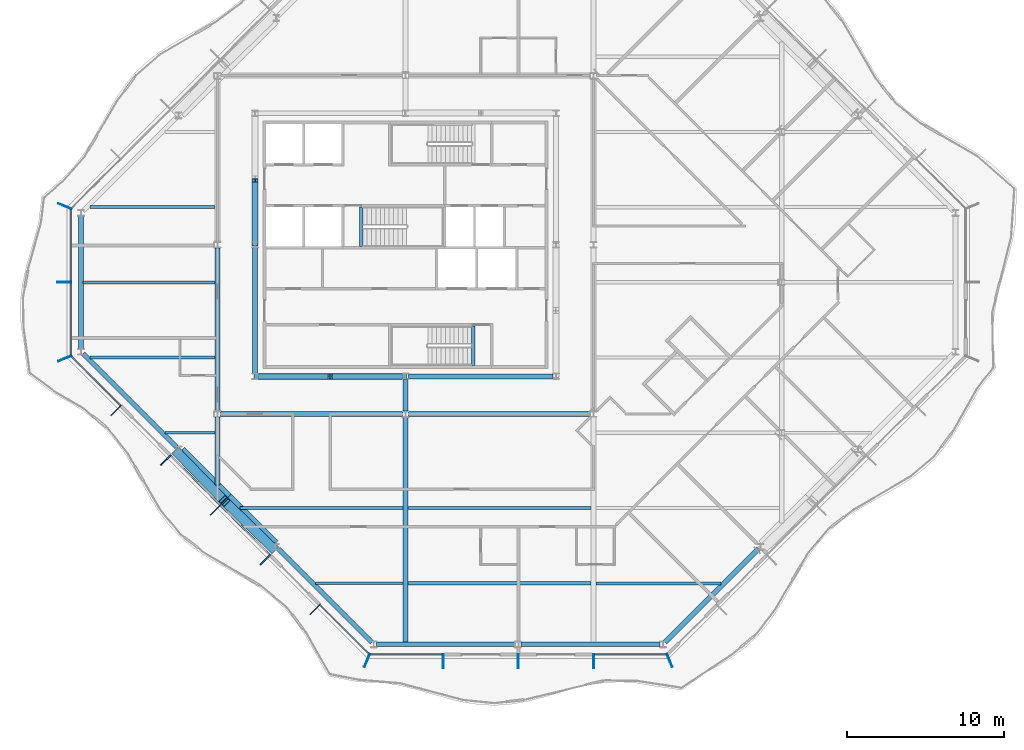
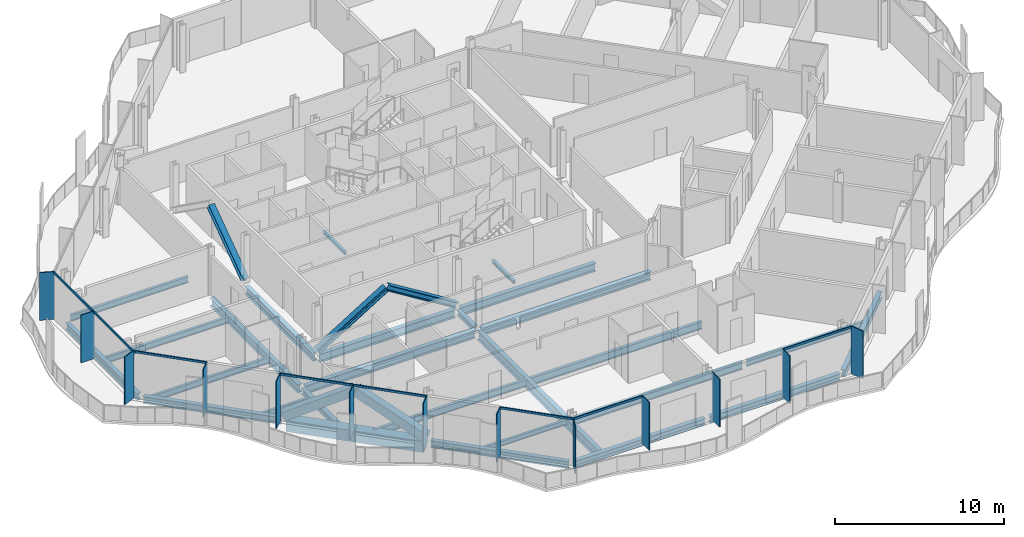
# One storey, part 3 of 17: 28 beams, 26 members, 4 elements without a shape of their own.
"""IFC4 building model written with IfcOpenShell, lengths in metres."""

from ifc_helpers import new_model, si_unit, direction, frame, origin, origin_2d, place, context, subcontext, project, spatial, rectangle, hollow_rectangle, i_section, extrude, material, material_profile, profile_set, type_object, element, aggregate, save


model = new_model("IFC4")

# Units and contexts
model_context = context("Model", 3, precision=1e-05, world=origin(), true_north=direction((0.0, 1.0)))
body_context = subcontext(model_context, "Body", "Model", "MODEL_VIEW")
ifc_project = project(units=[si_unit("LENGTHUNIT", "METRE"), si_unit("AREAUNIT", "SQUARE_METRE"), si_unit("VOLUMEUNIT", "CUBIC_METRE"), si_unit("PLANEANGLEUNIT", "RADIAN"), si_unit("MASSUNIT", "GRAM", prefix="KILO")], contexts=[model_context])

# Site, building, storey
site_placement = place(None, origin())
site = spatial("IfcSite", under=ifc_project, at=site_placement, CompositionType="ELEMENT")
building_placement = place(site_placement, origin())
building = spatial("IfcBuilding", under=site, at=building_placement, Name="Cairn Pilgrim Tower", CompositionType="ELEMENT")
storey_placement = place(building_placement, frame((0.0, 0.0, 243.0)))
storey = spatial("IfcBuildingStorey", under=building, at=storey_placement, Name="L62", CompositionType="ELEMENT", Elevation=243.0)

# Members
ifc_material_1 = material(Name="Structural steel S460M", Category="steel")
ifc_material_profile_1 = material_profile(ifc_material_1, hollow_rectangle(XDim=0.60009765625, YDim=0.60009765625, WallThickness=0.034912109375, at=origin_2d()), Name="BOX 600x600x35")
ifc_profile_set_1 = profile_set([ifc_material_profile_1], Name="Structural steel S460M")
member_type_1 = type_object("IfcMemberType", Name="BOX 600x600x35 BRACE", PredefinedType="BRACE", material=ifc_profile_set_1)
for number, where, z_axis, x_axis, name in (
    (1, (-7.394775390625, -10.813232421875, 0.14990234375), (0.593141693494, -0.611806144004, 0.523331800675), (0.717973624454, 0.696070308653, 0.0), "XB-SW2-SW3-1"),
    (2, (-1.213134765625, -16.99462890625, 0.14990234375), (-0.611806144004, 0.593141693494, 0.523331800675), (-0.696070308653, -0.717973624454, 0.0), "XB-SW2-SW3-2"),
):
    element("IfcMember", number, at=place(storey_placement, frame(where, z_axis=z_axis, x_axis=x_axis)), inside=storey, type_object=member_type_1, Name=name, PredefinedType="BRACE", context=body_context, shape_type="SweptSolid", body=[
        extrude(hollow_rectangle(XDim=0.60009765625, YDim=0.60009765625, WallThickness=0.034912109375, at=origin_2d()), origin(), (0.0, 0.0, 1.0), 5.035888671875),
    ])

# Beams
ifc_material_2 = material(Name="Structural steel S355J2", Category="steel")
ifc_material_profile_2 = material_profile(ifc_material_2, hollow_rectangle(XDim=0.699951171875, YDim=0.800048828125, WallThickness=0.0400390625, at=origin_2d()), Name="BOX 700x800x40")
ifc_profile_set_2 = profile_set([ifc_material_profile_2], Name="Structural steel S355J2")
beam_type_1 = type_object("IfcBeamType", Name="BOX 700x800x40 RING GIRDER", PredefinedType="SPANDREL", material=ifc_profile_set_2)
for number, where, z_axis, x_axis, name in (
    (3, (-7.147216796875, -10.780029296875, -0.550048828125), (0.707106781187, -0.707106781187, 0.0), (0.707106781187, 0.707106781187, 0.0), "RG3-SW2-SW3-1"),
    (4, (-4.16357421875, -13.763671875, -0.550048828125), (0.707106781187, -0.707106781187, 0.0), (0.707106781187, 0.707106781187, 0.0), "RG3-SW2-SW3-2"),
):
    element("IfcBeam", number, at=place(storey_placement, frame(where, z_axis=z_axis, x_axis=x_axis)), inside=storey, type_object=beam_type_1, Name=name, PredefinedType="SPANDREL", context=body_context, shape_type="SweptSolid", body=[
        extrude(hollow_rectangle(XDim=0.699951171875, YDim=0.800048828125, WallThickness=0.0400390625, at=origin_2d()), origin(), (0.0, 0.0, 1.0), 4.219482421875),
    ])

# Curtain wall, members
ifc_material_3 = material(Name="Aluminium alloy 6063-T6 bronze anodised with Bronze tinted laminated low-E glass 8+16+8.8", Category="aluminium")
curtain_wall_type_1 = type_object("IfcCurtainWallType", Name="TOWER STICK CURTAIN WALL NS", PredefinedType="NOTDEFINED", material=ifc_material_3)
curtain_wall_1_placement = place(storey_placement, origin())
curtain_wall_1 = element("IfcCurtainWall", 5, at=curtain_wall_1_placement, inside=storey, type_object=curtain_wall_type_1, Name="Tower Stick Curtain Wall Ns S", PredefinedType="NOTDEFINED")
ifc_material_4 = material(Name="Aluminium alloy 6063-T6 bronze anodised", Category="aluminium")
ifc_material_profile_3 = material_profile(ifc_material_4, rectangle(XDim=0.89990234375, YDim=0.06005859375, at=origin_2d()), Name="FIN MULLION 60x900 BRONZE")
ifc_profile_set_3 = profile_set([ifc_material_profile_3], Name="Aluminium alloy 6063-T6 bronze anodised")
member_type_2 = type_object("IfcMemberType", Name="FIN MULLION 60x900 BRONZE", PredefinedType="MULLION", material=ifc_profile_set_3)
member_1_placement = place(storey_placement, frame((4.742919921875, -24.137939453125, 0.0), z_axis=(0.0, 0.0, 1.0), x_axis=(-0.382683432365, -0.923879532511, 0.0)))
member_1 = element("IfcMember", 6, at=member_1_placement, type_object=member_type_2, Name="Fin mullion S1", PredefinedType="MULLION", context=body_context, shape_type="SweptSolid", body=[
    extrude(rectangle(XDim=0.89990234375, YDim=0.06005859375, at=origin_2d()), origin(), (0.0, 0.0, 1.0), 3.449951171875),
])
member_2_placement = place(storey_placement, frame((9.60009765625, -24.169921875, 0.0), z_axis=(0.0, 0.0, 1.0), x_axis=(0.0, -1.0, 0.0)))
member_2 = element("IfcMember", 7, at=member_2_placement, type_object=member_type_2, Name="Fin mullion S2", PredefinedType="MULLION", context=body_context, shape_type="SweptSolid", body=[
    extrude(rectangle(XDim=0.89990234375, YDim=0.06005859375, at=origin_2d()), origin(), (0.0, 0.0, 1.0), 3.449951171875),
])
member_3_placement = place(storey_placement, frame((14.39990234375, -24.169921875, 0.0), z_axis=(0.0, 0.0, 1.0), x_axis=(0.0, -1.0, 0.0)))
member_3 = element("IfcMember", 8, at=member_3_placement, type_object=member_type_2, Name="Fin mullion S3", PredefinedType="MULLION", context=body_context, shape_type="SweptSolid", body=[
    extrude(rectangle(XDim=0.89990234375, YDim=0.06005859375, at=origin_2d()), origin(), (0.0, 0.0, 1.0), 3.449951171875),
])
member_4_placement = place(storey_placement, frame((19.199951171875, -24.169921875, 0.0), z_axis=(0.0, 0.0, 1.0), x_axis=(0.0, -1.0, 0.0)))
member_4 = element("IfcMember", 9, at=member_4_placement, type_object=member_type_2, Name="Fin mullion S4", PredefinedType="MULLION", context=body_context, shape_type="SweptSolid", body=[
    extrude(rectangle(XDim=0.89990234375, YDim=0.06005859375, at=origin_2d()), origin(), (0.0, 0.0, 1.0), 3.449951171875),
])

# Curtain wall, member
curtain_wall_type_2 = type_object("IfcCurtainWallType", Name="CHAMFER CORNER CURTAIN WALL", PredefinedType="NOTDEFINED", material=ifc_material_3)
curtain_wall_2_placement = place(storey_placement, origin())
curtain_wall_2 = element("IfcCurtainWall", 10, at=curtain_wall_2_placement, inside=storey, type_object=curtain_wall_type_2, Name="Chamfer Corner Curtain Wall SE", PredefinedType="NOTDEFINED")
member_5_placement = place(storey_placement, frame((24.05712890625, -24.137939453125, 0.0), z_axis=(0.0, 0.0, 1.0), x_axis=(0.382683432365, -0.923879532511, 0.0)))
member_5 = element("IfcMember", 11, at=member_5_placement, type_object=member_type_2, Name="Fin mullion SE1", PredefinedType="MULLION", context=body_context, shape_type="SweptSolid", body=[
    extrude(rectangle(XDim=0.89990234375, YDim=0.06005859375, at=origin_2d()), origin(), (0.0, 0.0, 1.0), 3.449951171875),
])
aggregate(curtain_wall_2, [member_5])

# Curtain wall, members
curtain_wall_type_3 = type_object("IfcCurtainWallType", Name="TOWER STICK CURTAIN WALL EW", PredefinedType="NOTDEFINED", material=ifc_material_3)
curtain_wall_3_placement = place(storey_placement, origin())
curtain_wall_3 = element("IfcCurtainWall", 12, at=curtain_wall_3_placement, inside=storey, type_object=curtain_wall_type_3, Name="Tower Stick Curtain Wall Ew W", PredefinedType="NOTDEFINED")
member_6_placement = place(storey_placement, frame((-14.5380859375, 4.857177734375, 0.0), z_axis=(0.0, 0.0, 1.0), x_axis=(-0.923879532511, 0.382683432365, 0.0)))
member_6 = element("IfcMember", 13, at=member_6_placement, type_object=member_type_2, Name="Fin mullion W1", PredefinedType="MULLION", context=body_context, shape_type="SweptSolid", body=[
    extrude(rectangle(XDim=0.89990234375, YDim=0.06005859375, at=origin_2d()), origin(), (0.0, 0.0, 1.0), 3.449951171875),
])
member_7_placement = place(storey_placement, frame((-14.570068359375, 0.0, 0.0), z_axis=(0.0, 0.0, 1.0), x_axis=(-1.0, 0.0, 0.0)))
member_7 = element("IfcMember", 14, at=member_7_placement, type_object=member_type_2, Name="Fin mullion W2", PredefinedType="MULLION", context=body_context, shape_type="SweptSolid", body=[
    extrude(rectangle(XDim=0.89990234375, YDim=0.06005859375, at=origin_2d()), origin(), (0.0, 0.0, 1.0), 3.449951171875),
])

curtain_wall_4_placement = place(storey_placement, origin())
curtain_wall_4 = element("IfcCurtainWall", 15, at=curtain_wall_4_placement, inside=storey, type_object=curtain_wall_type_2, Name="Chamfer Corner Curtain Wall SW", PredefinedType="NOTDEFINED")
member_8_placement = place(storey_placement, frame((-14.5380859375, -4.857177734375, 0.0), z_axis=(0.0, 0.0, 1.0), x_axis=(-0.923879532511, -0.382683432365, 0.0)))
member_8 = element("IfcMember", 16, at=member_8_placement, type_object=member_type_2, Name="Fin mullion SW1", PredefinedType="MULLION", context=body_context, shape_type="SweptSolid", body=[
    extrude(rectangle(XDim=0.89990234375, YDim=0.06005859375, at=origin_2d()), origin(), (0.0, 0.0, 1.0), 3.449951171875),
])
member_9_placement = place(storey_placement, frame((-11.271484375, -8.1689453125, 0.0), z_axis=(0.0, 0.0, 1.0), x_axis=(-0.707106781187, -0.707106781187, 0.0)))
member_9 = element("IfcMember", 17, at=member_9_placement, type_object=member_type_2, Name="Fin mullion SW2", PredefinedType="MULLION", context=body_context, shape_type="SweptSolid", body=[
    extrude(rectangle(XDim=0.89990234375, YDim=0.06005859375, at=origin_2d()), origin(), (0.0, 0.0, 1.0), 3.449951171875),
])
member_10_placement = place(storey_placement, frame((-8.095703125, -11.3447265625, 0.0), z_axis=(0.0, 0.0, 1.0), x_axis=(-0.707106781187, -0.707106781187, 0.0)))
member_10 = element("IfcMember", 18, at=member_10_placement, type_object=member_type_2, Name="Fin mullion SW3", PredefinedType="MULLION", context=body_context, shape_type="SweptSolid", body=[
    extrude(rectangle(XDim=0.89990234375, YDim=0.06005859375, at=origin_2d()), origin(), (0.0, 0.0, 1.0), 3.449951171875),
])
member_11_placement = place(storey_placement, frame((-4.920166015625, -14.520263671875, 0.0), z_axis=(0.0, 0.0, 1.0), x_axis=(-0.707106781187, -0.707106781187, 0.0)))
member_11 = element("IfcMember", 19, at=member_11_placement, type_object=member_type_2, Name="Fin mullion SW4", PredefinedType="MULLION", context=body_context, shape_type="SweptSolid", body=[
    extrude(rectangle(XDim=0.89990234375, YDim=0.06005859375, at=origin_2d()), origin(), (0.0, 0.0, 1.0), 3.449951171875),
])
member_12_placement = place(storey_placement, frame((-1.74462890625, -17.69580078125, 0.0), z_axis=(0.0, 0.0, 1.0), x_axis=(-0.707106781187, -0.707106781187, 0.0)))
member_12 = element("IfcMember", 20, at=member_12_placement, type_object=member_type_2, Name="Fin mullion SW5", PredefinedType="MULLION", context=body_context, shape_type="SweptSolid", body=[
    extrude(rectangle(XDim=0.89990234375, YDim=0.06005859375, at=origin_2d()), origin(), (0.0, 0.0, 1.0), 3.449951171875),
])
member_13_placement = place(storey_placement, frame((1.430908203125, -20.871337890625, 0.0), z_axis=(0.0, 0.0, 1.0), x_axis=(-0.707106781187, -0.707106781187, 0.0)))
member_13 = element("IfcMember", 21, at=member_13_placement, type_object=member_type_2, Name="Fin mullion SW6", PredefinedType="MULLION", context=body_context, shape_type="SweptSolid", body=[
    extrude(rectangle(XDim=0.89990234375, YDim=0.06005859375, at=origin_2d()), origin(), (0.0, 0.0, 1.0), 3.449951171875),
])

# Members
ifc_material_profile_4 = material_profile(ifc_material_2, i_section(OverallWidth=0.39794921875, OverallDepth=0.386962890625, WebThickness=0.02099609375, FlangeThickness=0.033203125, FilletRadius=0.014892578125, at=origin_2d()), Name="HD 400x262")
ifc_profile_set_4 = profile_set([ifc_material_profile_4], Name="Structural steel S355J2")
member_type_3 = type_object("IfcMemberType", Name="HD 400x262 BRACE", PredefinedType="BRACE", material=ifc_profile_set_4)
for number, where, z_axis, x_axis, name in (
    (22, (-2.360107421875, -6.0, 0.10009765625), (0.85121689147, 0.0, 0.524814065814), (0.0, 1.0, 0.0), "KB-1A"),
    (23, (7.16015625, -6.0, 0.10009765625), (-0.85121689147, 0.0, 0.524814065814), (0.0, -1.0, 0.0), "KB-1B"),
):
    element("IfcMember", number, at=place(storey_placement, frame(where, z_axis=z_axis, x_axis=x_axis)), inside=storey, type_object=member_type_3, Name=name, PredefinedType="BRACE", context=body_context, shape_type="SweptSolid", body=[
        extrude(i_section(OverallWidth=0.39794921875, OverallDepth=0.386962890625, WebThickness=0.02099609375, FlangeThickness=0.033203125, FilletRadius=0.014892578125, at=origin_2d()), origin(), (0.0, 0.0, 1.0), 5.52978515625),
    ])
member_14_placement = place(storey_placement, frame((-2.39990234375, 2.439697265625, 0.10009765625), z_axis=(0.0, 0.814462005215, 0.580216892258), x_axis=(-1.0, 0.0, 0.0)))
element("IfcMember", 24, at=member_14_placement, inside=storey, type_object=member_type_3, Name="KB-4B", PredefinedType="BRACE", context=body_context, shape_type="SweptSolid", body=[
    extrude(i_section(OverallWidth=0.39794921875, OverallDepth=0.386962890625, WebThickness=0.02099609375, FlangeThickness=0.033203125, FilletRadius=0.014892578125, at=origin_2d()), origin(), (0.0, 0.0, 1.0), 4.999755859375),
])

# Beams
ifc_material_profile_5 = material_profile(ifc_material_2, i_section(OverallWidth=0.300048828125, OverallDepth=0.39990234375, WebThickness=0.013427734375, FlangeThickness=0.02392578125, FilletRadius=0.027099609375, at=origin_2d()), Name="HEB 400")
ifc_profile_set_5 = profile_set([ifc_material_profile_5], Name="Structural steel S355J2")
beam_type_2 = type_object("IfcBeamType", Name="HEB 400 GIRDER", PredefinedType="BEAM", material=ifc_profile_set_5)
beam_1_placement = place(storey_placement, frame((-4.800048828125, -12.945068359375, -0.35009765625), z_axis=(0.0, 1.0, 0.0), x_axis=(-1.0, 0.0, 0.0)))
element("IfcBeam", 25, at=beam_1_placement, inside=storey, type_object=beam_type_2, Name="PG2-1", PredefinedType="BEAM", context=body_context, shape_type="SweptSolid", body=[
    extrude(i_section(OverallWidth=0.300048828125, OverallDepth=0.39990234375, WebThickness=0.013427734375, FlangeThickness=0.02392578125, FilletRadius=0.027099609375, at=origin_2d()), origin(), (0.0, 0.0, 1.0), 4.34814453125),
])
beam_2_placement = place(storey_placement, frame((7.199951171875, -8.202880859375, -0.35009765625), z_axis=(0.0, 1.0, 0.0), x_axis=(-1.0, 0.0, 0.0)))
element("IfcBeam", 26, at=beam_2_placement, inside=storey, type_object=beam_type_2, Name="PG3-E1", PredefinedType="BEAM", context=body_context, shape_type="SweptSolid", body=[
    extrude(i_section(OverallWidth=0.300048828125, OverallDepth=0.39990234375, WebThickness=0.013427734375, FlangeThickness=0.02392578125, FilletRadius=0.027099609375, at=origin_2d()), origin(), (0.0, 0.0, 1.0), 2.00390625),
])
ifc_material_profile_6 = material_profile(ifc_material_2, i_section(OverallWidth=0.300048828125, OverallDepth=0.5, WebThickness=0.014404296875, FlangeThickness=0.028076171875, FilletRadius=0.027099609375, at=origin_2d()), Name="HEB 500")
ifc_profile_set_6 = profile_set([ifc_material_profile_6], Name="Structural steel S355J2")
beam_type_3 = type_object("IfcBeamType", Name="HEB 500 RING GIRDER", PredefinedType="SPANDREL", material=ifc_profile_set_6)
beam_3_placement = place(storey_placement, frame((5.3544921875, -23.10009765625, -0.39990234375), z_axis=(1.0, 0.0, 0.0), x_axis=(0.0, 1.0, 0.0)))
element("IfcBeam", 27, at=beam_3_placement, inside=storey, type_object=beam_type_3, Name="RG3-S1-S2", PredefinedType="SPANDREL", context=body_context, shape_type="SweptSolid", body=[
    extrude(i_section(OverallWidth=0.300048828125, OverallDepth=0.5, WebThickness=0.014404296875, FlangeThickness=0.028076171875, FilletRadius=0.027099609375, at=origin_2d()), origin(), (0.0, 0.0, 1.0), 8.86376953125),
])
beam_4_placement = place(storey_placement, frame((14.581787109375, -23.10009765625, -0.39990234375), z_axis=(1.0, 0.0, 0.0), x_axis=(0.0, 1.0, 0.0)))
element("IfcBeam", 28, at=beam_4_placement, inside=storey, type_object=beam_type_3, Name="RG3-S2-SE1", PredefinedType="SPANDREL", context=body_context, shape_type="SweptSolid", body=[
    extrude(i_section(OverallWidth=0.300048828125, OverallDepth=0.5, WebThickness=0.014404296875, FlangeThickness=0.028076171875, FilletRadius=0.027099609375, at=origin_2d()), origin(), (0.0, 0.0, 1.0), 8.863525390625),
])
beam_5_placement = place(storey_placement, frame((23.755859375, -22.971435546875, -0.39990234375), z_axis=(0.707106781187, 0.707106781187, 0.0), x_axis=(-0.707106781187, 0.707106781187, 0.0)))
element("IfcBeam", 29, at=beam_5_placement, inside=storey, type_object=beam_type_3, Name="RG3-SE1-SE2", PredefinedType="SPANDREL", context=body_context, shape_type="SweptSolid", body=[
    extrude(i_section(OverallWidth=0.300048828125, OverallDepth=0.5, WebThickness=0.014404296875, FlangeThickness=0.028076171875, FilletRadius=0.027099609375, at=origin_2d()), origin(), (0.0, 0.0, 1.0), 8.438720703125),
])
beam_6_placement = place(storey_placement, frame((-13.5, 4.245361328125, -0.39990234375), z_axis=(0.0, -1.0, 0.0), x_axis=(1.0, 0.0, 0.0)))
element("IfcBeam", 30, at=beam_6_placement, inside=storey, type_object=beam_type_3, Name="RG3-W1-SW1", PredefinedType="SPANDREL", context=body_context, shape_type="SweptSolid", body=[
    extrude(i_section(OverallWidth=0.300048828125, OverallDepth=0.5, WebThickness=0.014404296875, FlangeThickness=0.028076171875, FilletRadius=0.027099609375, at=origin_2d()), origin(), (0.0, 0.0, 1.0), 8.49072265625),
])
for number, where, z_axis, x_axis, name in (
    (31, (-13.371337890625, -4.555908203125, -0.39990234375), (0.707106781187, -0.707106781187, 0.0), (0.707106781187, 0.707106781187, 0.0), "RG3-SW1-SW2"),
    (32, (-0.9228515625, -17.00439453125, -0.39990234375), (0.707106781187, -0.707106781187, 0.0), (0.707106781187, 0.707106781187, 0.0), "RG3-SW3-S1"),
):
    element("IfcBeam", number, at=place(storey_placement, frame(where, z_axis=z_axis, x_axis=x_axis)), inside=storey, type_object=beam_type_3, Name=name, PredefinedType="SPANDREL", context=body_context, shape_type="SweptSolid", body=[
        extrude(i_section(OverallWidth=0.300048828125, OverallDepth=0.5, WebThickness=0.014404296875, FlangeThickness=0.028076171875, FilletRadius=0.027099609375, at=origin_2d()), origin(), (0.0, 0.0, 1.0), 8.438720703125),
    ])
ifc_material_profile_7 = material_profile(ifc_material_2, i_section(OverallWidth=0.300048828125, OverallDepth=0.60009765625, WebThickness=0.015380859375, FlangeThickness=0.030029296875, FilletRadius=0.027099609375, at=origin_2d()), Name="HEB 600")
ifc_profile_set_7 = profile_set([ifc_material_profile_7], Name="Structural steel S355J2")
beam_type_4 = type_object("IfcBeamType", Name="HEB 600 CORE BEAM", PredefinedType="BEAM", material=ifc_profile_set_7)
beam_7_placement = place(storey_placement, frame((-2.220947265625, -6.0, -0.449951171875), z_axis=(1.0, 0.0, 0.0), x_axis=(0.0, 1.0, 0.0)))
element("IfcBeam", 33, at=beam_7_placement, inside=storey, type_object=beam_type_4, Name="CB-1", PredefinedType="BEAM", context=body_context, shape_type="SweptSolid", body=[
    extrude(i_section(OverallWidth=0.300048828125, OverallDepth=0.60009765625, WebThickness=0.015380859375, FlangeThickness=0.030029296875, FilletRadius=0.027099609375, at=origin_2d()), origin(), (0.0, 0.0, 1.0), 9.241943359375),
])
beam_8_placement = place(storey_placement, frame((7.379150390625, -6.0, -0.449951171875), z_axis=(1.0, 0.0, 0.0), x_axis=(0.0, 1.0, 0.0)))
element("IfcBeam", 34, at=beam_8_placement, inside=storey, type_object=beam_type_4, Name="CB-2", PredefinedType="BEAM", context=body_context, shape_type="SweptSolid", body=[
    extrude(i_section(OverallWidth=0.300048828125, OverallDepth=0.60009765625, WebThickness=0.015380859375, FlangeThickness=0.030029296875, FilletRadius=0.027099609375, at=origin_2d()), origin(), (0.0, 0.0, 1.0), 9.24169921875),
])
beam_9_placement = place(storey_placement, frame((-2.39990234375, 2.220947265625, -0.449951171875), z_axis=(0.0, -1.0, 0.0), x_axis=(1.0, 0.0, 0.0)))
element("IfcBeam", 35, at=beam_9_placement, inside=storey, type_object=beam_type_4, Name="CB-8", PredefinedType="BEAM", context=body_context, shape_type="SweptSolid", body=[
    extrude(i_section(OverallWidth=0.300048828125, OverallDepth=0.60009765625, WebThickness=0.015380859375, FlangeThickness=0.030029296875, FilletRadius=0.027099609375, at=origin_2d()), origin(), (0.0, 0.0, 1.0), 8.041748046875),
])
ifc_material_profile_8 = material_profile(ifc_material_2, i_section(OverallWidth=0.300048828125, OverallDepth=0.60009765625, WebThickness=0.015380859375, FlangeThickness=0.030029296875, FilletRadius=0.027099609375, at=origin_2d()), Name="HEB 600")
ifc_profile_set_8 = profile_set([ifc_material_profile_8], Name="Structural steel S355J2")
beam_type_5 = type_object("IfcBeamType", Name="HEB 600 GIRDER", PredefinedType="BEAM", material=ifc_profile_set_8)
beam_10_placement = place(storey_placement, frame((-4.800048828125, -8.202880859375, -0.449951171875), z_axis=(0.0, 1.0, 0.0), x_axis=(-1.0, 0.0, 0.0)))
element("IfcBeam", 36, at=beam_10_placement, inside=storey, type_object=beam_type_5, Name="PG2-2", PredefinedType="BEAM", context=body_context, shape_type="SweptSolid", body=[
    extrude(i_section(OverallWidth=0.300048828125, OverallDepth=0.60009765625, WebThickness=0.015380859375, FlangeThickness=0.030029296875, FilletRadius=0.027099609375, at=origin_2d()), origin(), (0.0, 0.0, 1.0), 10.40576171875),
])
ifc_material_profile_9 = material_profile(ifc_material_2, i_section(OverallWidth=0.300048828125, OverallDepth=0.60009765625, WebThickness=0.015380859375, FlangeThickness=0.030029296875, FilletRadius=0.027099609375, at=origin_2d()), Name="HEB 600")
ifc_profile_set_9 = profile_set([ifc_material_profile_9], Name="Structural steel S355J2")
beam_type_6 = type_object("IfcBeamType", Name="HEB 600 INNER GIRDER", PredefinedType="BEAM", material=ifc_profile_set_9)
for number, where, z_axis, x_axis, name in (
    (37, (-4.60302734375, -8.39990234375, -0.449951171875), (1.0, 0.0, 0.0), (0.0, 1.0, 0.0), "IG1-1"),
    (38, (7.39697265625, -8.39990234375, -0.449951171875), (1.0, 0.0, 0.0), (0.0, 1.0, 0.0), "IG1-2"),
):
    element("IfcBeam", number, at=place(storey_placement, frame(where, z_axis=z_axis, x_axis=x_axis)), inside=storey, type_object=beam_type_6, Name=name, PredefinedType="BEAM", context=body_context, shape_type="SweptSolid", body=[
        extrude(i_section(OverallWidth=0.300048828125, OverallDepth=0.60009765625, WebThickness=0.015380859375, FlangeThickness=0.030029296875, FilletRadius=0.027099609375, at=origin_2d()), origin(), (0.0, 0.0, 1.0), 11.60595703125),
    ])
ifc_material_profile_10 = material_profile(ifc_material_2, i_section(OverallWidth=0.300048828125, OverallDepth=0.699951171875, WebThickness=0.01708984375, FlangeThickness=0.031982421875, FilletRadius=0.027099609375, at=origin_2d()), Name="HEB 700")
ifc_profile_set_10 = profile_set([ifc_material_profile_10], Name="Structural steel S355J2")
beam_type_7 = type_object("IfcBeamType", Name="HEB 700 GIRDER", PredefinedType="BEAM", material=ifc_profile_set_10)
beam_11_placement = place(storey_placement, frame((7.199951171875, -22.97998046875, -0.5), z_axis=(0.0, 1.0, 0.0), x_axis=(-1.0, 0.0, 0.0)))
element("IfcBeam", 39, at=beam_11_placement, inside=storey, type_object=beam_type_7, Name="PG3-1", PredefinedType="BEAM", context=body_context, shape_type="SweptSolid", body=[
    extrude(i_section(OverallWidth=0.300048828125, OverallDepth=0.699951171875, WebThickness=0.01708984375, FlangeThickness=0.031982421875, FilletRadius=0.027099609375, at=origin_2d()), origin(), (0.0, 0.0, 1.0), 14.383056640625),
])
ifc_material_profile_11 = material_profile(ifc_material_2, i_section(OverallWidth=0.169921875, OverallDepth=0.360107421875, WebThickness=0.008056640625, FlangeThickness=0.0126953125, FilletRadius=0.01806640625, at=origin_2d()), Name="IPE 360")
ifc_profile_set_11 = profile_set([ifc_material_profile_11], Name="Structural steel S355J2")
beam_type_8 = type_object("IfcBeamType", Name="IPE 360 SECONDARY BEAM", PredefinedType="JOIST", material=ifc_profile_set_11)
beam_12_placement = place(storey_placement, frame((1.454833984375, -19.199951171875, -0.330078125), z_axis=(1.0, 0.0, 0.0), x_axis=(0.0, 1.0, 0.0)))
element("IfcBeam", 40, at=beam_12_placement, inside=storey, type_object=beam_type_8, Name="SB1-1", PredefinedType="JOIST", context=body_context, shape_type="SweptSolid", body=[
    extrude(i_section(OverallWidth=0.169921875, OverallDepth=0.360107421875, WebThickness=0.008056640625, FlangeThickness=0.0126953125, FilletRadius=0.01806640625, at=origin_2d()), origin(), (0.0, 0.0, 1.0), 5.59521484375),
])
beam_13_placement = place(storey_placement, frame((-8.14501953125, -9.60009765625, -0.330078125), z_axis=(1.0, 0.0, 0.0), x_axis=(0.0, 1.0, 0.0)))
element("IfcBeam", 41, at=beam_13_placement, inside=storey, type_object=beam_type_8, Name="SB3-1", PredefinedType="JOIST", context=body_context, shape_type="SweptSolid", body=[
    extrude(i_section(OverallWidth=0.169921875, OverallDepth=0.360107421875, WebThickness=0.008056640625, FlangeThickness=0.0126953125, FilletRadius=0.01806640625, at=origin_2d()), origin(), (0.0, 0.0, 1.0), 3.195068359375),
])
ifc_material_profile_12 = material_profile(ifc_material_2, i_section(OverallWidth=0.18994140625, OverallDepth=0.449951171875, WebThickness=0.009521484375, FlangeThickness=0.0146484375, FilletRadius=0.02099609375, at=origin_2d()), Name="IPE 450")
ifc_profile_set_12 = profile_set([ifc_material_profile_12], Name="Structural steel S355J2")
beam_type_9 = type_object("IfcBeamType", Name="IPE 450 SECONDARY BEAM", PredefinedType="JOIST", material=ifc_profile_set_12)
for number, where, z_axis, x_axis, name in (
    (42, (19.35009765625, -19.199951171875, -0.375), (1.0, 0.0, 0.0), (0.0, 1.0, 0.0), "SB1-3"),
    (43, (-12.945068359375, -4.800048828125, -0.375), (1.0, 0.0, 0.0), (0.0, 1.0, 0.0), "SB4-1"),
):
    element("IfcBeam", number, at=place(storey_placement, frame(where, z_axis=z_axis, x_axis=x_axis)), inside=storey, type_object=beam_type_9, Name=name, PredefinedType="JOIST", context=body_context, shape_type="SweptSolid", body=[
        extrude(i_section(OverallWidth=0.18994140625, OverallDepth=0.449951171875, WebThickness=0.009521484375, FlangeThickness=0.0146484375, FilletRadius=0.02099609375, at=origin_2d()), origin(), (0.0, 0.0, 1.0), 7.9951171875),
    ])
beam_14_placement = place(storey_placement, frame((-13.3798828125, 0.0, -0.375), z_axis=(1.0, 0.0, 0.0), x_axis=(0.0, 1.0, 0.0)))
element("IfcBeam", 44, at=beam_14_placement, inside=storey, type_object=beam_type_9, Name="SB5-1", PredefinedType="JOIST", context=body_context, shape_type="SweptSolid", body=[
    extrude(i_section(OverallWidth=0.18994140625, OverallDepth=0.449951171875, WebThickness=0.009521484375, FlangeThickness=0.0146484375, FilletRadius=0.02099609375, at=origin_2d()), origin(), (0.0, 0.0, 1.0), 8.429931640625),
])
beam_15_placement = place(storey_placement, frame((-12.945068359375, 4.800048828125, -0.375), z_axis=(1.0, 0.0, 0.0), x_axis=(0.0, 1.0, 0.0)))
element("IfcBeam", 45, at=beam_15_placement, inside=storey, type_object=beam_type_9, Name="SB6-1", PredefinedType="JOIST", context=body_context, shape_type="SweptSolid", body=[
    extrude(i_section(OverallWidth=0.18994140625, OverallDepth=0.449951171875, WebThickness=0.009521484375, FlangeThickness=0.0146484375, FilletRadius=0.02099609375, at=origin_2d()), origin(), (0.0, 0.0, 1.0), 7.9951171875),
])
ifc_material_profile_13 = material_profile(ifc_material_2, i_section(OverallWidth=0.199951171875, OverallDepth=0.5, WebThickness=0.01025390625, FlangeThickness=0.01611328125, FilletRadius=0.02099609375, at=origin_2d()), Name="IPE 500")
ifc_profile_set_13 = profile_set([ifc_material_profile_13], Name="Structural steel S355J2")
beam_type_10 = type_object("IfcBeamType", Name="IPE 500 SECONDARY BEAM", PredefinedType="JOIST", material=ifc_profile_set_13)
beam_16_placement = place(storey_placement, frame((-3.34521484375, -14.39990234375, -0.39990234375), z_axis=(1.0, 0.0, 0.0), x_axis=(0.0, 1.0, 0.0)))
element("IfcBeam", 46, at=beam_16_placement, inside=storey, type_object=beam_type_10, Name="SB2-1", PredefinedType="JOIST", context=body_context, shape_type="SweptSolid", body=[
    extrude(i_section(OverallWidth=0.199951171875, OverallDepth=0.5, WebThickness=0.01025390625, FlangeThickness=0.01611328125, FilletRadius=0.02099609375, at=origin_2d()), origin(), (0.0, 0.0, 1.0), 10.395263671875),
])
ifc_material_profile_14 = material_profile(ifc_material_2, i_section(OverallWidth=0.2099609375, OverallDepth=0.550048828125, WebThickness=0.010986328125, FlangeThickness=0.01708984375, FilletRadius=0.02392578125, at=origin_2d()), Name="IPE 550")
ifc_profile_set_14 = profile_set([ifc_material_profile_14], Name="Structural steel S355J2")
beam_type_11 = type_object("IfcBeamType", Name="IPE 550 SECONDARY BEAM", PredefinedType="JOIST", material=ifc_profile_set_14)
for number, where, z_axis, x_axis, name in (
    (47, (7.35009765625, -19.199951171875, -0.425048828125), (1.0, 0.0, 0.0), (0.0, 1.0, 0.0), "SB1-2"),
    (48, (7.35009765625, -14.39990234375, -0.425048828125), (1.0, 0.0, 0.0), (0.0, 1.0, 0.0), "SB2-2"),
):
    element("IfcBeam", number, at=place(storey_placement, frame(where, z_axis=z_axis, x_axis=x_axis)), inside=storey, type_object=beam_type_11, Name=name, PredefinedType="JOIST", context=body_context, shape_type="SweptSolid", body=[
        extrude(i_section(OverallWidth=0.2099609375, OverallDepth=0.550048828125, WebThickness=0.010986328125, FlangeThickness=0.01708984375, FilletRadius=0.02392578125, at=origin_2d()), origin(), (0.0, 0.0, 1.0), 11.699951171875),
    ])
ifc_material_profile_15 = material_profile(ifc_material_2, i_section(OverallWidth=0.199951171875, OverallDepth=0.199951171875, WebThickness=0.009033203125, FlangeThickness=0.014892578125, FilletRadius=0.01806640625, at=origin_2d()), Name="HE 200 B")
ifc_profile_set_15 = profile_set([ifc_material_profile_15], Name="Structural steel S355J2")
beam_type_12 = type_object("IfcBeamType", Name="STAIR LANDING BEAM HE 200 B", PredefinedType="BEAM", material=ifc_profile_set_15)
beam_17_placement = place(storey_placement, frame((11.5244140625, -2.77490234375, -0.25), z_axis=(0.0, -1.0, 0.0), x_axis=(1.0, 0.0, 0.0)))
element("IfcBeam", 49, at=beam_17_placement, inside=storey, type_object=beam_type_12, Name="STAIR LANDING BEAM LD-HE200B", PredefinedType="BEAM", context=body_context, shape_type="SweptSolid", body=[
    extrude(i_section(OverallWidth=0.199951171875, OverallDepth=0.199951171875, WebThickness=0.009033203125, FlangeThickness=0.014892578125, FilletRadius=0.01806640625, at=origin_2d()), origin(), (0.0, 0.0, 1.0), 2.525146484375),
])
beam_18_placement = place(storey_placement, frame((4.37548828125, 2.27490234375, -0.25), z_axis=(0.0, 1.0, 0.0), x_axis=(-1.0, 0.0, 0.0)))
element("IfcBeam", 50, at=beam_18_placement, inside=storey, type_object=beam_type_12, Name="STAIR LANDING BEAM LD-HE200B", PredefinedType="BEAM", context=body_context, shape_type="SweptSolid", body=[
    extrude(i_section(OverallWidth=0.199951171875, OverallDepth=0.199951171875, WebThickness=0.009033203125, FlangeThickness=0.014892578125, FilletRadius=0.01806640625, at=origin_2d()), origin(), (0.0, 0.0, 1.0), 2.550048828125),
])

# Member
ifc_material_profile_16 = material_profile(ifc_material_4, rectangle(XDim=0.080078125, YDim=0.14990234375, at=origin_2d()), Name="TRANSOM 80x150 BRONZE")
ifc_profile_set_16 = profile_set([ifc_material_profile_16], Name="Aluminium alloy 6063-T6 bronze anodised")
member_type_4 = type_object("IfcMemberType", Name="TRANSOM 80x150 BRONZE", PredefinedType="USERDEFINED", material=ifc_profile_set_16)
member_15_placement = place(storey_placement, frame((4.943603515625, -23.75, 3.375), z_axis=(1.0, 0.0, 0.0), x_axis=(0.0, 1.0, 0.0)))
member_15 = element("IfcMember", 51, at=member_15_placement, type_object=member_type_4, Name="Transom S1", ObjectType="TRANSOM", PredefinedType="USERDEFINED", context=body_context, shape_type="SweptSolid", body=[
    extrude(rectangle(XDim=0.080078125, YDim=0.14990234375, at=origin_2d()), origin(), (0.0, 0.0, 1.0), 4.62646484375),
])

member_16_placement = place(storey_placement, frame((19.22998046875, -23.75, 3.375), z_axis=(1.0, 0.0, 0.0), x_axis=(0.0, 1.0, 0.0)))
member_16 = element("IfcMember", 52, at=member_16_placement, type_object=member_type_4, Name="Transom S4", ObjectType="TRANSOM", PredefinedType="USERDEFINED", context=body_context, shape_type="SweptSolid", body=[
    extrude(rectangle(XDim=0.080078125, YDim=0.14990234375, at=origin_2d()), origin(), (0.0, 0.0, 1.0), 4.62646484375),
])

aggregate(curtain_wall_1, [member_1, member_2, member_3, member_4, member_15, member_16])

member_17_placement = place(storey_placement, frame((-14.14990234375, 4.656494140625, 3.375), z_axis=(0.0, -1.0, 0.0), x_axis=(1.0, 0.0, 0.0)))
member_17 = element("IfcMember", 53, at=member_17_placement, type_object=member_type_4, Name="Transom W1", ObjectType="TRANSOM", PredefinedType="USERDEFINED", context=body_context, shape_type="SweptSolid", body=[
    extrude(rectangle(XDim=0.080078125, YDim=0.14990234375, at=origin_2d()), origin(), (0.0, 0.0, 1.0), 4.62646484375),
])

member_18_placement = place(storey_placement, frame((-14.14990234375, -0.030029296875, 3.375), z_axis=(0.0, -1.0, 0.0), x_axis=(1.0, 0.0, 0.0)))
member_18 = element("IfcMember", 54, at=member_18_placement, type_object=member_type_4, Name="Transom W2", ObjectType="TRANSOM", PredefinedType="USERDEFINED", context=body_context, shape_type="SweptSolid", body=[
    extrude(rectangle(XDim=0.080078125, YDim=0.14990234375, at=origin_2d()), origin(), (0.0, 0.0, 1.0), 4.62646484375),
])

aggregate(curtain_wall_3, [member_6, member_7, member_17, member_18])

member_19_placement = place(storey_placement, frame((-14.121826171875, -4.724609375, 3.375), z_axis=(0.707106781187, -0.707106781187, 0.0), x_axis=(0.707106781187, 0.707106781187, 0.0)))
member_19 = element("IfcMember", 55, at=member_19_placement, type_object=member_type_4, Name="Transom SW1", ObjectType="TRANSOM", PredefinedType="USERDEFINED", context=body_context, shape_type="SweptSolid", body=[
    extrude(rectangle(XDim=0.080078125, YDim=0.14990234375, at=origin_2d()), origin(), (0.0, 0.0, 1.0), 4.421142578125),
])

member_20_placement = place(storey_placement, frame((-7.777587890625, -11.06884765625, 3.375), z_axis=(0.707106781187, -0.707106781187, 0.0), x_axis=(0.707106781187, 0.707106781187, 0.0)))
member_20 = element("IfcMember", 56, at=member_20_placement, type_object=member_type_4, Name="Transom SW3", ObjectType="TRANSOM", PredefinedType="USERDEFINED", context=body_context, shape_type="SweptSolid", body=[
    extrude(rectangle(XDim=0.080078125, YDim=0.14990234375, at=origin_2d()), origin(), (0.0, 0.0, 1.0), 4.430908203125),
])

member_21_placement = place(storey_placement, frame((-4.60205078125, -14.244384765625, 3.375), z_axis=(0.707106781187, -0.707106781187, 0.0), x_axis=(0.707106781187, 0.707106781187, 0.0)))
member_21 = element("IfcMember", 57, at=member_21_placement, type_object=member_type_4, Name="Transom SW4", ObjectType="TRANSOM", PredefinedType="USERDEFINED", context=body_context, shape_type="SweptSolid", body=[
    extrude(rectangle(XDim=0.080078125, YDim=0.14990234375, at=origin_2d()), origin(), (0.0, 0.0, 1.0), 4.43115234375),
])

member_22_placement = place(storey_placement, frame((1.749267578125, -20.595703125, 3.375), z_axis=(0.707106781187, -0.707106781187, 0.0), x_axis=(0.707106781187, 0.707106781187, 0.0)))
member_22 = element("IfcMember", 58, at=member_22_placement, type_object=member_type_4, Name="Transom SW6", ObjectType="TRANSOM", PredefinedType="USERDEFINED", context=body_context, shape_type="SweptSolid", body=[
    extrude(rectangle(XDim=0.080078125, YDim=0.14990234375, at=origin_2d()), origin(), (0.0, 0.0, 1.0), 4.4208984375),
])

aggregate(curtain_wall_4, [member_8, member_9, member_10, member_11, member_12, member_13, member_19, member_20, member_21, member_22])

save(model, "model.ifc")
